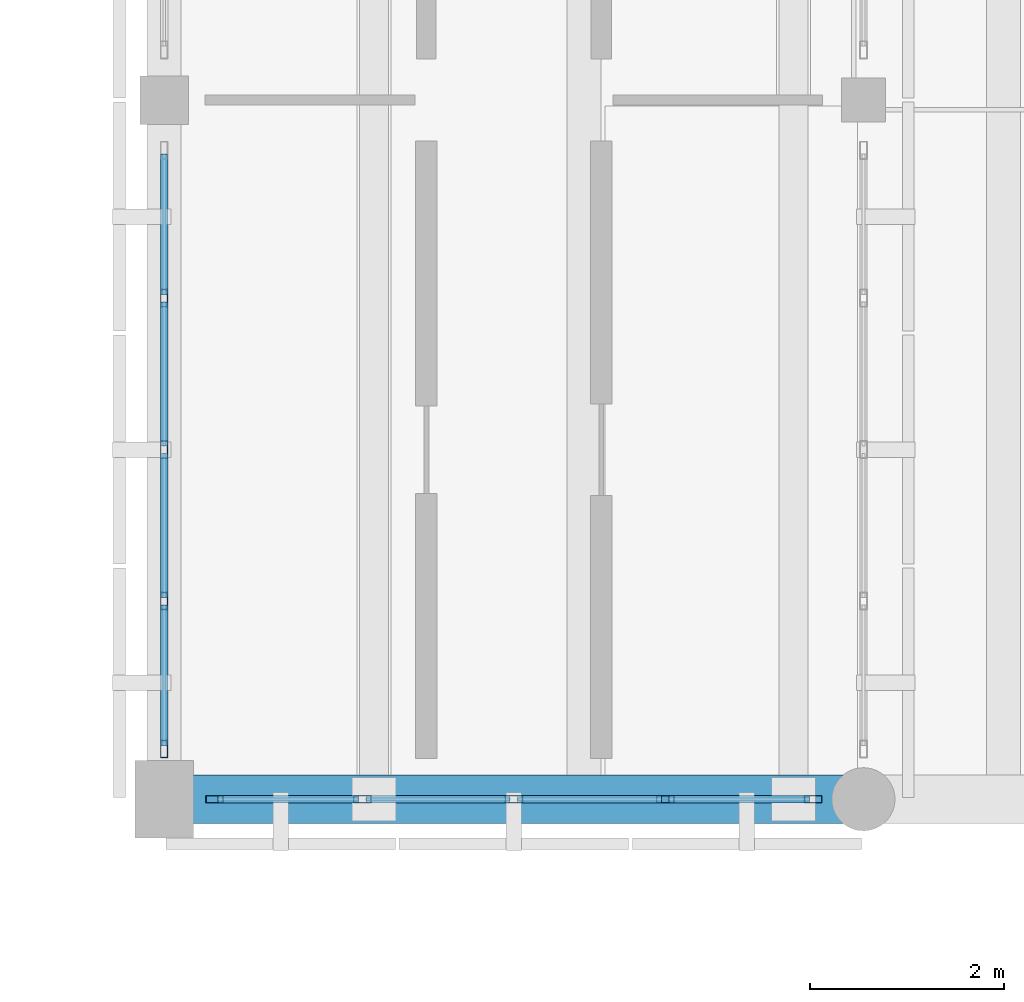
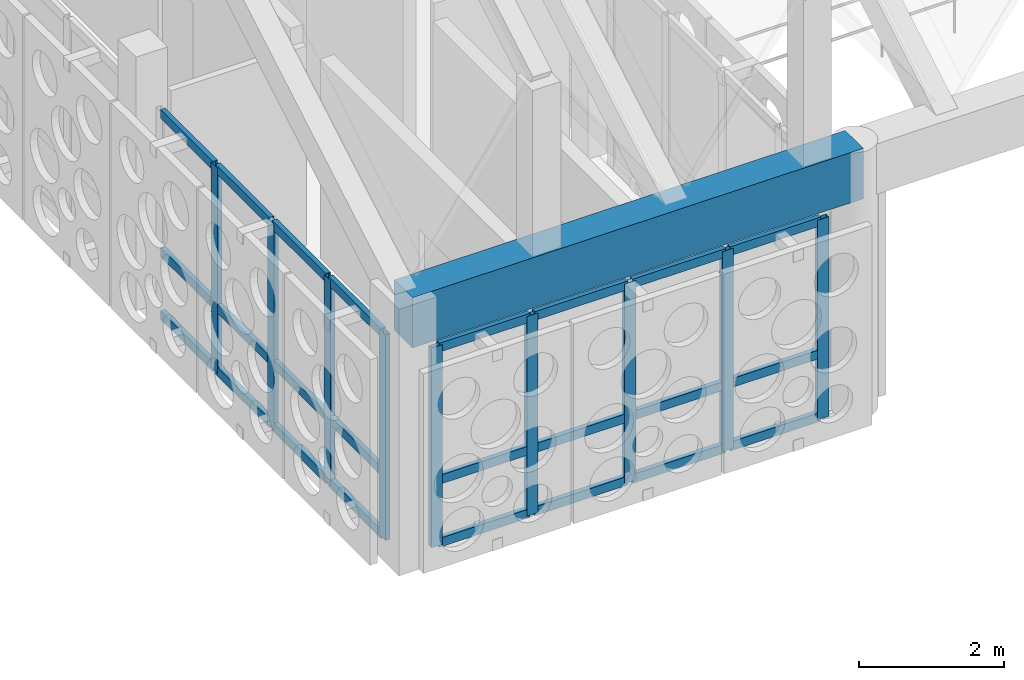
# One storey, part 15 of 171: 33 members, 1 beam, 2 elements without a shape of their own.
"""IFC4 building model written with IfcOpenShell, lengths in metres."""

from ifc_helpers import new_model, si_unit, direction, frame, origin, origin_2d, place, context, subcontext, project, spatial, rectangle, hollow_rectangle, extrude, material, material_profile, profile_set, type_object, element, aggregate, save


model = new_model("IFC4")

# Units and contexts
model_context = context("Model", 3, precision=1e-05, world=origin(), true_north=direction((0.0, 1.0)))
body_context = subcontext(model_context, "Body", "Model", "MODEL_VIEW")
ifc_project = project(units=[si_unit("LENGTHUNIT", "METRE"), si_unit("AREAUNIT", "SQUARE_METRE"), si_unit("VOLUMEUNIT", "CUBIC_METRE"), si_unit("PLANEANGLEUNIT", "RADIAN"), si_unit("MASSUNIT", "GRAM", prefix="KILO")], contexts=[model_context])

# Site, building, storey
site_placement = place(None, origin())
site = spatial("IfcSite", under=ifc_project, at=site_placement, CompositionType="ELEMENT")
building_placement = place(site_placement, origin())
building = spatial("IfcBuilding", under=site, at=building_placement, Name="Aldebral Square Health Centre", CompositionType="ELEMENT")
storey_placement = place(building_placement, frame((0.0, 0.0, 4.5)))
storey = spatial("IfcBuildingStorey", under=building, at=storey_placement, Name="L01", CompositionType="ELEMENT", Elevation=4.5)

# Beam
ifc_material_1 = material(Name="Concrete C40/50", Category="concrete")
ifc_material_profile_1 = material_profile(ifc_material_1, rectangle(XDim=0.5, YDim=0.85009765625, at=origin_2d()), Name="RC 500x850")
ifc_profile_set_1 = profile_set([ifc_material_profile_1], Name="Concrete C40/50")
beam_type = type_object("IfcBeamType", Name="BM-G1", PredefinedType="T_BEAM", material=ifc_profile_set_1)
beam_placement = place(storey_placement, frame((64.800048828125, 72.0, 4.074951171875), z_axis=(1.0, 0.0, 0.0), x_axis=(0.0, 1.0, 0.0)))
element("IfcBeam", 1, at=beam_placement, inside=storey, type_object=beam_type, Name="Waiting Hall diaphragm girder EAVE-S 10", PredefinedType="T_BEAM", context=body_context, shape_type="SweptSolid", body=[
    extrude(rectangle(XDim=0.5, YDim=0.85009765625, at=origin_2d()), origin(), (0.0, 0.0, 1.0), 7.199951171875),
])

# Curtain wall, members
ifc_material_2 = material(Name="Aluminium and low-E solar glass", Category="aluminium")
curtain_wall_type = type_object("IfcCurtainWallType", Name="CW-HALL-SYS", PredefinedType="USERDEFINED", material=ifc_material_2)
curtain_wall_1_placement = place(storey_placement, origin())
curtain_wall_1 = element("IfcCurtainWall", 2, at=curtain_wall_1_placement, inside=storey, type_object=curtain_wall_type, Name="L01 V1 hall curtain wall L01-V1-09-10-S", ObjectType="HALL_CURTAIN_WALL", PredefinedType="USERDEFINED")
ifc_material_3 = material(Name="Anodised aluminium mullion", Category="aluminium")
ifc_material_profile_2 = material_profile(ifc_material_3, hollow_rectangle(XDim=0.074951171875, YDim=0.179931640625, WallThickness=0.00390625, at=origin_2d()), Name="CWM 75x180x4")
ifc_profile_set_2 = profile_set([ifc_material_profile_2], Name="Anodised aluminium mullion")
member_type_1 = type_object("IfcMemberType", Name="CWM-STD", PredefinedType="MULLION", material=ifc_profile_set_2)
member_1_placement = place(storey_placement, frame((65.3173828125, 72.0, 0.0), z_axis=(0.0, 0.0, 1.0), x_axis=(0.0, 1.0, 0.0)))
member_1 = element("IfcMember", 3, at=member_1_placement, type_object=member_type_1, Name="CW2 mullion 1", PredefinedType="MULLION", context=body_context, shape_type="SweptSolid", body=[
    extrude(hollow_rectangle(XDim=0.074951171875, YDim=0.179931640625, WallThickness=0.00390625, at=origin_2d()), origin(), (0.0, 0.0, 1.0), 3.3701171875),
])
member_2_placement = place(storey_placement, frame((66.840087890625, 72.0, 0.0), z_axis=(0.0, 0.0, 1.0), x_axis=(0.0, 1.0, 0.0)))
member_2 = element("IfcMember", 4, at=member_2_placement, type_object=member_type_1, Name="CW2 mullion 2", PredefinedType="MULLION", context=body_context, shape_type="SweptSolid", body=[
    extrude(hollow_rectangle(XDim=0.074951171875, YDim=0.179931640625, WallThickness=0.00390625, at=origin_2d()), origin(), (0.0, 0.0, 1.0), 3.3701171875),
])
member_3_placement = place(storey_placement, frame((68.39990234375, 72.0, 0.0), z_axis=(0.0, 0.0, 1.0), x_axis=(0.0, 1.0, 0.0)))
member_3 = element("IfcMember", 5, at=member_3_placement, type_object=member_type_1, Name="CW2 mullion 3", PredefinedType="MULLION", context=body_context, shape_type="SweptSolid", body=[
    extrude(hollow_rectangle(XDim=0.074951171875, YDim=0.179931640625, WallThickness=0.00390625, at=origin_2d()), origin(), (0.0, 0.0, 1.0), 3.3701171875),
])
member_4_placement = place(storey_placement, frame((69.9599609375, 72.0, 0.0), z_axis=(0.0, 0.0, 1.0), x_axis=(0.0, 1.0, 0.0)))
member_4 = element("IfcMember", 6, at=member_4_placement, type_object=member_type_1, Name="CW2 mullion 4", PredefinedType="MULLION", context=body_context, shape_type="SweptSolid", body=[
    extrude(hollow_rectangle(XDim=0.074951171875, YDim=0.179931640625, WallThickness=0.00390625, at=origin_2d()), origin(), (0.0, 0.0, 1.0), 3.3701171875),
])
member_5_placement = place(storey_placement, frame((71.482421875, 72.0, 0.0), z_axis=(0.0, 0.0, 1.0), x_axis=(0.0, 1.0, 0.0)))
member_5 = element("IfcMember", 7, at=member_5_placement, type_object=member_type_1, Name="CW2 mullion 5", PredefinedType="MULLION", context=body_context, shape_type="SweptSolid", body=[
    extrude(hollow_rectangle(XDim=0.074951171875, YDim=0.179931640625, WallThickness=0.00390625, at=origin_2d()), origin(), (0.0, 0.0, 1.0), 3.3701171875),
])

curtain_wall_2_placement = place(storey_placement, origin())
curtain_wall_2 = element("IfcCurtainWall", 8, at=curtain_wall_2_placement, inside=storey, type_object=curtain_wall_type, Name="L01 V1 hall curtain wall L01-V1-09-10-W", ObjectType="HALL_CURTAIN_WALL", PredefinedType="USERDEFINED")
member_6_placement = place(storey_placement, frame((64.800048828125, 77.159912109375, 0.0), z_axis=(0.0, 0.0, 1.0), x_axis=(1.0, 0.0, 0.0)))
member_6 = element("IfcMember", 9, at=member_6_placement, type_object=member_type_1, Name="CW2 mullion 2", PredefinedType="MULLION", context=body_context, shape_type="SweptSolid", body=[
    extrude(hollow_rectangle(XDim=0.074951171875, YDim=0.179931640625, WallThickness=0.00390625, at=origin_2d()), origin(), (0.0, 0.0, 1.0), 3.469970703125),
])
member_7_placement = place(storey_placement, frame((64.800048828125, 75.60009765625, 0.0), z_axis=(0.0, 0.0, 1.0), x_axis=(1.0, 0.0, 0.0)))
member_7 = element("IfcMember", 10, at=member_7_placement, type_object=member_type_1, Name="CW2 mullion 3", PredefinedType="MULLION", context=body_context, shape_type="SweptSolid", body=[
    extrude(hollow_rectangle(XDim=0.074951171875, YDim=0.179931640625, WallThickness=0.00390625, at=origin_2d()), origin(), (0.0, 0.0, 1.0), 3.469970703125),
])
member_8_placement = place(storey_placement, frame((64.800048828125, 74.0400390625, 0.0), z_axis=(0.0, 0.0, 1.0), x_axis=(1.0, 0.0, 0.0)))
member_8 = element("IfcMember", 11, at=member_8_placement, type_object=member_type_1, Name="CW2 mullion 4", PredefinedType="MULLION", context=body_context, shape_type="SweptSolid", body=[
    extrude(hollow_rectangle(XDim=0.074951171875, YDim=0.179931640625, WallThickness=0.00390625, at=origin_2d()), origin(), (0.0, 0.0, 1.0), 3.469970703125),
])
member_9_placement = place(storey_placement, frame((64.800048828125, 72.517578125, 0.0), z_axis=(0.0, 0.0, 1.0), x_axis=(1.0, 0.0, 0.0)))
member_9 = element("IfcMember", 12, at=member_9_placement, type_object=member_type_1, Name="CW2 mullion 5", PredefinedType="MULLION", context=body_context, shape_type="SweptSolid", body=[
    extrude(hollow_rectangle(XDim=0.074951171875, YDim=0.179931640625, WallThickness=0.00390625, at=origin_2d()), origin(), (0.0, 0.0, 1.0), 3.469970703125),
])

# Member
ifc_material_4 = material(Name="Anodised aluminium transom", Category="aluminium")
ifc_material_profile_3 = material_profile(ifc_material_4, hollow_rectangle(XDim=0.074951171875, YDim=0.14990234375, WallThickness=0.00390625, at=origin_2d()), Name="CWT 75x150x4")
ifc_profile_set_3 = profile_set([ifc_material_profile_3], Name="Anodised aluminium transom")
member_type_2 = type_object("IfcMemberType", Name="CWT-STD", PredefinedType="USERDEFINED", material=ifc_profile_set_3)
member_10_placement = place(storey_placement, frame((65.35498046875, 72.0, 0.03759765625), z_axis=(1.0, 0.0, 0.0), x_axis=(0.0, 1.0, 0.0)))
member_10 = element("IfcMember", 13, at=member_10_placement, type_object=member_type_2, Name="CW2 transom 1.1", ObjectType="TRANSOM", PredefinedType="USERDEFINED", context=body_context, shape_type="SweptSolid", body=[
    extrude(hollow_rectangle(XDim=0.074951171875, YDim=0.14990234375, WallThickness=0.00390625, at=origin_2d()), origin(), (0.0, 0.0, 1.0), 1.447509765625),
])

member_11_placement = place(storey_placement, frame((65.35498046875, 72.0, 1.10009765625), z_axis=(1.0, 0.0, 0.0), x_axis=(0.0, 1.0, 0.0)))
member_11 = element("IfcMember", 14, at=member_11_placement, type_object=member_type_2, Name="CW2 transom 1.2", ObjectType="TRANSOM", PredefinedType="USERDEFINED", context=body_context, shape_type="SweptSolid", body=[
    extrude(hollow_rectangle(XDim=0.074951171875, YDim=0.14990234375, WallThickness=0.00390625, at=origin_2d()), origin(), (0.0, 0.0, 1.0), 1.447509765625),
])

member_12_placement = place(storey_placement, frame((65.35498046875, 72.0, 3.33251953125), z_axis=(1.0, 0.0, 0.0), x_axis=(0.0, 1.0, 0.0)))
member_12 = element("IfcMember", 15, at=member_12_placement, type_object=member_type_2, Name="CW2 transom 1.3", ObjectType="TRANSOM", PredefinedType="USERDEFINED", context=body_context, shape_type="SweptSolid", body=[
    extrude(hollow_rectangle(XDim=0.074951171875, YDim=0.14990234375, WallThickness=0.00390625, at=origin_2d()), origin(), (0.0, 0.0, 1.0), 1.447509765625),
])

member_13_placement = place(storey_placement, frame((66.87744140625, 72.0, 0.03759765625), z_axis=(1.0, 0.0, 0.0), x_axis=(0.0, 1.0, 0.0)))
member_13 = element("IfcMember", 16, at=member_13_placement, type_object=member_type_2, Name="CW2 transom 2.1", ObjectType="TRANSOM", PredefinedType="USERDEFINED", context=body_context, shape_type="SweptSolid", body=[
    extrude(hollow_rectangle(XDim=0.074951171875, YDim=0.14990234375, WallThickness=0.00390625, at=origin_2d()), origin(), (0.0, 0.0, 1.0), 1.485107421875),
])

member_14_placement = place(storey_placement, frame((66.87744140625, 72.0, 1.10009765625), z_axis=(1.0, 0.0, 0.0), x_axis=(0.0, 1.0, 0.0)))
member_14 = element("IfcMember", 17, at=member_14_placement, type_object=member_type_2, Name="CW2 transom 2.2", ObjectType="TRANSOM", PredefinedType="USERDEFINED", context=body_context, shape_type="SweptSolid", body=[
    extrude(hollow_rectangle(XDim=0.074951171875, YDim=0.14990234375, WallThickness=0.00390625, at=origin_2d()), origin(), (0.0, 0.0, 1.0), 1.485107421875),
])

member_15_placement = place(storey_placement, frame((66.87744140625, 72.0, 3.33251953125), z_axis=(1.0, 0.0, 0.0), x_axis=(0.0, 1.0, 0.0)))
member_15 = element("IfcMember", 18, at=member_15_placement, type_object=member_type_2, Name="CW2 transom 2.3", ObjectType="TRANSOM", PredefinedType="USERDEFINED", context=body_context, shape_type="SweptSolid", body=[
    extrude(hollow_rectangle(XDim=0.074951171875, YDim=0.14990234375, WallThickness=0.00390625, at=origin_2d()), origin(), (0.0, 0.0, 1.0), 1.485107421875),
])

member_16_placement = place(storey_placement, frame((68.4375, 72.0, 0.03759765625), z_axis=(1.0, 0.0, 0.0), x_axis=(0.0, 1.0, 0.0)))
member_16 = element("IfcMember", 19, at=member_16_placement, type_object=member_type_2, Name="CW2 transom 3.1", ObjectType="TRANSOM", PredefinedType="USERDEFINED", context=body_context, shape_type="SweptSolid", body=[
    extrude(hollow_rectangle(XDim=0.074951171875, YDim=0.14990234375, WallThickness=0.00390625, at=origin_2d()), origin(), (0.0, 0.0, 1.0), 1.485107421875),
])

member_17_placement = place(storey_placement, frame((68.4375, 72.0, 1.10009765625), z_axis=(1.0, 0.0, 0.0), x_axis=(0.0, 1.0, 0.0)))
member_17 = element("IfcMember", 20, at=member_17_placement, type_object=member_type_2, Name="CW2 transom 3.2", ObjectType="TRANSOM", PredefinedType="USERDEFINED", context=body_context, shape_type="SweptSolid", body=[
    extrude(hollow_rectangle(XDim=0.074951171875, YDim=0.14990234375, WallThickness=0.00390625, at=origin_2d()), origin(), (0.0, 0.0, 1.0), 1.485107421875),
])

member_18_placement = place(storey_placement, frame((68.4375, 72.0, 3.33251953125), z_axis=(1.0, 0.0, 0.0), x_axis=(0.0, 1.0, 0.0)))
member_18 = element("IfcMember", 21, at=member_18_placement, type_object=member_type_2, Name="CW2 transom 3.3", ObjectType="TRANSOM", PredefinedType="USERDEFINED", context=body_context, shape_type="SweptSolid", body=[
    extrude(hollow_rectangle(XDim=0.074951171875, YDim=0.14990234375, WallThickness=0.00390625, at=origin_2d()), origin(), (0.0, 0.0, 1.0), 1.485107421875),
])

member_19_placement = place(storey_placement, frame((69.99755859375, 72.0, 0.03759765625), z_axis=(1.0, 0.0, 0.0), x_axis=(0.0, 1.0, 0.0)))
member_19 = element("IfcMember", 22, at=member_19_placement, type_object=member_type_2, Name="CW2 transom 4.1", ObjectType="TRANSOM", PredefinedType="USERDEFINED", context=body_context, shape_type="SweptSolid", body=[
    extrude(hollow_rectangle(XDim=0.074951171875, YDim=0.14990234375, WallThickness=0.00390625, at=origin_2d()), origin(), (0.0, 0.0, 1.0), 1.447509765625),
])

member_20_placement = place(storey_placement, frame((69.99755859375, 72.0, 1.10009765625), z_axis=(1.0, 0.0, 0.0), x_axis=(0.0, 1.0, 0.0)))
member_20 = element("IfcMember", 23, at=member_20_placement, type_object=member_type_2, Name="CW2 transom 4.2", ObjectType="TRANSOM", PredefinedType="USERDEFINED", context=body_context, shape_type="SweptSolid", body=[
    extrude(hollow_rectangle(XDim=0.074951171875, YDim=0.14990234375, WallThickness=0.00390625, at=origin_2d()), origin(), (0.0, 0.0, 1.0), 1.447509765625),
])

member_21_placement = place(storey_placement, frame((69.99755859375, 72.0, 3.33251953125), z_axis=(1.0, 0.0, 0.0), x_axis=(0.0, 1.0, 0.0)))
member_21 = element("IfcMember", 24, at=member_21_placement, type_object=member_type_2, Name="CW2 transom 4.3", ObjectType="TRANSOM", PredefinedType="USERDEFINED", context=body_context, shape_type="SweptSolid", body=[
    extrude(hollow_rectangle(XDim=0.074951171875, YDim=0.14990234375, WallThickness=0.00390625, at=origin_2d()), origin(), (0.0, 0.0, 1.0), 1.447509765625),
])

aggregate(curtain_wall_1, [member_1, member_2, member_3, member_4, member_5, member_10, member_11, member_12, member_13, member_14, member_15, member_16, member_17, member_18, member_19, member_20, member_21])

member_22_placement = place(storey_placement, frame((64.800048828125, 78.64501953125, 0.03759765625), z_axis=(0.0, -1.0, 0.0), x_axis=(1.0, 0.0, 0.0)))
member_22 = element("IfcMember", 25, at=member_22_placement, type_object=member_type_2, Name="CW2 transom 1.1", ObjectType="TRANSOM", PredefinedType="USERDEFINED", context=body_context, shape_type="SweptSolid", body=[
    extrude(hollow_rectangle(XDim=0.074951171875, YDim=0.14990234375, WallThickness=0.00390625, at=origin_2d()), origin(), (0.0, 0.0, 1.0), 1.447509765625),
])

member_23_placement = place(storey_placement, frame((64.800048828125, 78.64501953125, 1.10009765625), z_axis=(0.0, -1.0, 0.0), x_axis=(1.0, 0.0, 0.0)))
member_23 = element("IfcMember", 26, at=member_23_placement, type_object=member_type_2, Name="CW2 transom 1.2", ObjectType="TRANSOM", PredefinedType="USERDEFINED", context=body_context, shape_type="SweptSolid", body=[
    extrude(hollow_rectangle(XDim=0.074951171875, YDim=0.14990234375, WallThickness=0.00390625, at=origin_2d()), origin(), (0.0, 0.0, 1.0), 1.447509765625),
])

member_24_placement = place(storey_placement, frame((64.800048828125, 78.64501953125, 3.4326171875), z_axis=(0.0, -1.0, 0.0), x_axis=(1.0, 0.0, 0.0)))
member_24 = element("IfcMember", 27, at=member_24_placement, type_object=member_type_2, Name="CW2 transom 1.3", ObjectType="TRANSOM", PredefinedType="USERDEFINED", context=body_context, shape_type="SweptSolid", body=[
    extrude(hollow_rectangle(XDim=0.074951171875, YDim=0.14990234375, WallThickness=0.00390625, at=origin_2d()), origin(), (0.0, 0.0, 1.0), 1.447509765625),
])

member_25_placement = place(storey_placement, frame((64.800048828125, 77.12255859375, 0.03759765625), z_axis=(0.0, -1.0, 0.0), x_axis=(1.0, 0.0, 0.0)))
member_25 = element("IfcMember", 28, at=member_25_placement, type_object=member_type_2, Name="CW2 transom 2.1", ObjectType="TRANSOM", PredefinedType="USERDEFINED", context=body_context, shape_type="SweptSolid", body=[
    extrude(hollow_rectangle(XDim=0.074951171875, YDim=0.14990234375, WallThickness=0.00390625, at=origin_2d()), origin(), (0.0, 0.0, 1.0), 1.485107421875),
])

member_26_placement = place(storey_placement, frame((64.800048828125, 77.12255859375, 1.10009765625), z_axis=(0.0, -1.0, 0.0), x_axis=(1.0, 0.0, 0.0)))
member_26 = element("IfcMember", 29, at=member_26_placement, type_object=member_type_2, Name="CW2 transom 2.2", ObjectType="TRANSOM", PredefinedType="USERDEFINED", context=body_context, shape_type="SweptSolid", body=[
    extrude(hollow_rectangle(XDim=0.074951171875, YDim=0.14990234375, WallThickness=0.00390625, at=origin_2d()), origin(), (0.0, 0.0, 1.0), 1.485107421875),
])

member_27_placement = place(storey_placement, frame((64.800048828125, 77.12255859375, 3.4326171875), z_axis=(0.0, -1.0, 0.0), x_axis=(1.0, 0.0, 0.0)))
member_27 = element("IfcMember", 30, at=member_27_placement, type_object=member_type_2, Name="CW2 transom 2.3", ObjectType="TRANSOM", PredefinedType="USERDEFINED", context=body_context, shape_type="SweptSolid", body=[
    extrude(hollow_rectangle(XDim=0.074951171875, YDim=0.14990234375, WallThickness=0.00390625, at=origin_2d()), origin(), (0.0, 0.0, 1.0), 1.485107421875),
])

member_28_placement = place(storey_placement, frame((64.800048828125, 75.5625, 0.03759765625), z_axis=(0.0, -1.0, 0.0), x_axis=(1.0, 0.0, 0.0)))
member_28 = element("IfcMember", 31, at=member_28_placement, type_object=member_type_2, Name="CW2 transom 3.1", ObjectType="TRANSOM", PredefinedType="USERDEFINED", context=body_context, shape_type="SweptSolid", body=[
    extrude(hollow_rectangle(XDim=0.074951171875, YDim=0.14990234375, WallThickness=0.00390625, at=origin_2d()), origin(), (0.0, 0.0, 1.0), 1.485107421875),
])

member_29_placement = place(storey_placement, frame((64.800048828125, 75.5625, 1.10009765625), z_axis=(0.0, -1.0, 0.0), x_axis=(1.0, 0.0, 0.0)))
member_29 = element("IfcMember", 32, at=member_29_placement, type_object=member_type_2, Name="CW2 transom 3.2", ObjectType="TRANSOM", PredefinedType="USERDEFINED", context=body_context, shape_type="SweptSolid", body=[
    extrude(hollow_rectangle(XDim=0.074951171875, YDim=0.14990234375, WallThickness=0.00390625, at=origin_2d()), origin(), (0.0, 0.0, 1.0), 1.485107421875),
])

member_30_placement = place(storey_placement, frame((64.800048828125, 75.5625, 3.4326171875), z_axis=(0.0, -1.0, 0.0), x_axis=(1.0, 0.0, 0.0)))
member_30 = element("IfcMember", 33, at=member_30_placement, type_object=member_type_2, Name="CW2 transom 3.3", ObjectType="TRANSOM", PredefinedType="USERDEFINED", context=body_context, shape_type="SweptSolid", body=[
    extrude(hollow_rectangle(XDim=0.074951171875, YDim=0.14990234375, WallThickness=0.00390625, at=origin_2d()), origin(), (0.0, 0.0, 1.0), 1.485107421875),
])

member_31_placement = place(storey_placement, frame((64.800048828125, 74.00244140625, 0.03759765625), z_axis=(0.0, -1.0, 0.0), x_axis=(1.0, 0.0, 0.0)))
member_31 = element("IfcMember", 34, at=member_31_placement, type_object=member_type_2, Name="CW2 transom 4.1", ObjectType="TRANSOM", PredefinedType="USERDEFINED", context=body_context, shape_type="SweptSolid", body=[
    extrude(hollow_rectangle(XDim=0.074951171875, YDim=0.14990234375, WallThickness=0.00390625, at=origin_2d()), origin(), (0.0, 0.0, 1.0), 1.447509765625),
])

member_32_placement = place(storey_placement, frame((64.800048828125, 74.00244140625, 1.10009765625), z_axis=(0.0, -1.0, 0.0), x_axis=(1.0, 0.0, 0.0)))
member_32 = element("IfcMember", 35, at=member_32_placement, type_object=member_type_2, Name="CW2 transom 4.2", ObjectType="TRANSOM", PredefinedType="USERDEFINED", context=body_context, shape_type="SweptSolid", body=[
    extrude(hollow_rectangle(XDim=0.074951171875, YDim=0.14990234375, WallThickness=0.00390625, at=origin_2d()), origin(), (0.0, 0.0, 1.0), 1.447509765625),
])

member_33_placement = place(storey_placement, frame((64.800048828125, 74.00244140625, 3.4326171875), z_axis=(0.0, -1.0, 0.0), x_axis=(1.0, 0.0, 0.0)))
member_33 = element("IfcMember", 36, at=member_33_placement, type_object=member_type_2, Name="CW2 transom 4.3", ObjectType="TRANSOM", PredefinedType="USERDEFINED", context=body_context, shape_type="SweptSolid", body=[
    extrude(hollow_rectangle(XDim=0.074951171875, YDim=0.14990234375, WallThickness=0.00390625, at=origin_2d()), origin(), (0.0, 0.0, 1.0), 1.447509765625),
])

aggregate(curtain_wall_2, [member_6, member_7, member_8, member_9, member_22, member_23, member_24, member_25, member_26, member_27, member_28, member_29, member_30, member_31, member_32, member_33])

save(model, "model.ifc")
